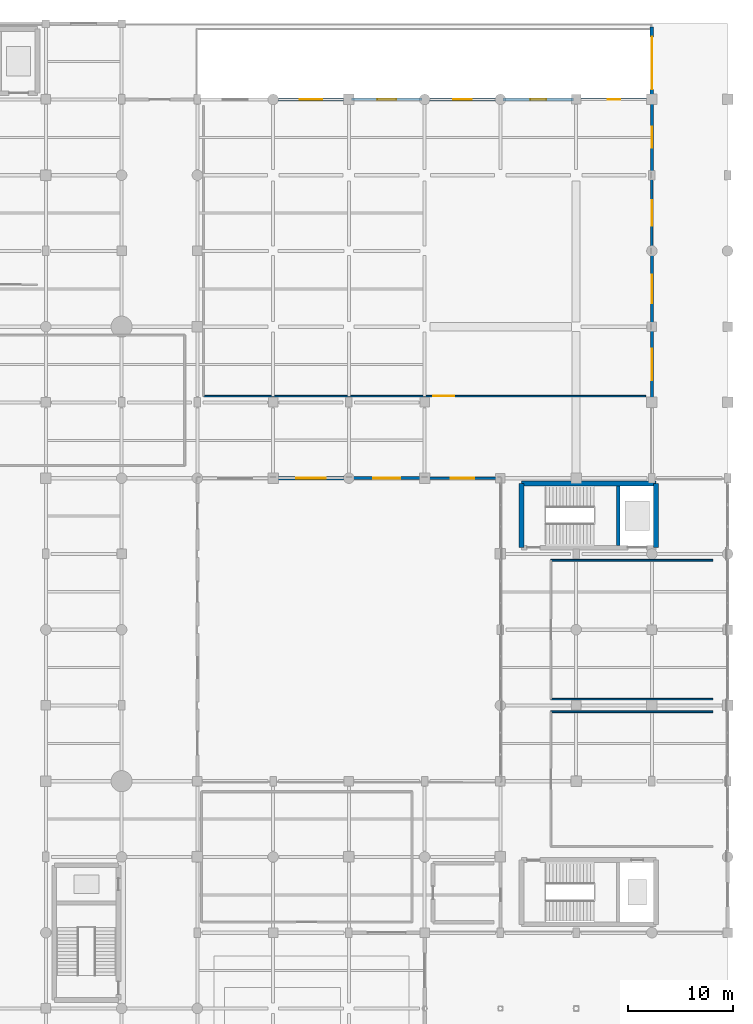
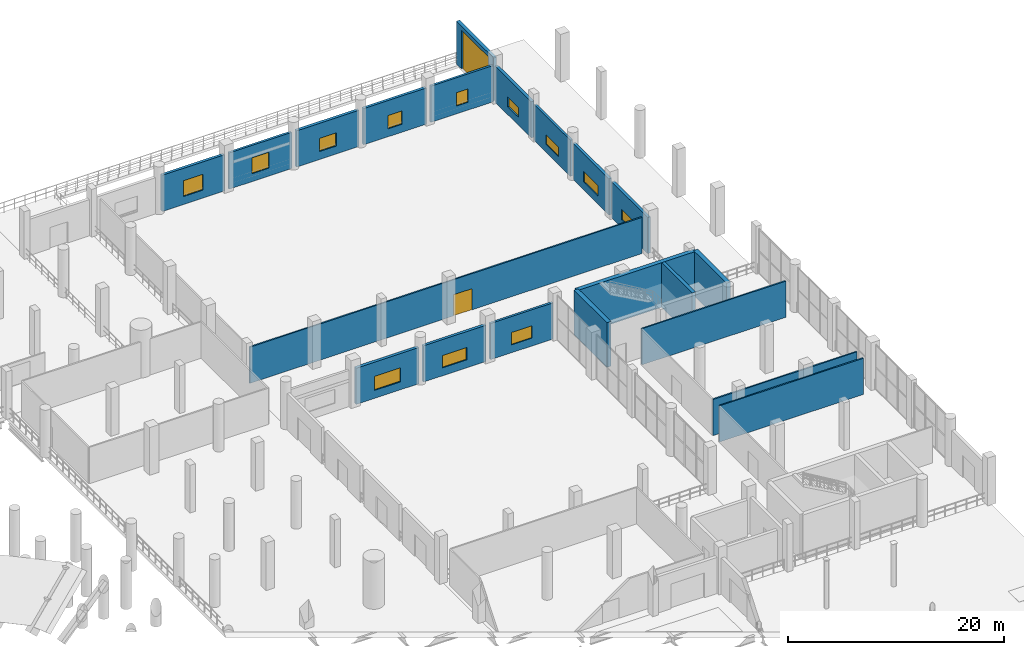
# One storey, part 40 of 58: 21 walls, 12 windows, 2 doors, 14 openings.
"""IFC4 building model written with IfcOpenShell, lengths in metres."""

from ifc_helpers import new_model, si_unit, direction, frame, frame_2d, origin, place, context, subcontext, project, spatial, rectangle, extrude, material, layer, layer_set, type_object, element, fill, save


model = new_model("IFC4")

# Units and contexts
model_context = context("Model", 3, precision=1e-05, world=origin(), true_north=direction((0.0, 1.0)))
body_context = subcontext(model_context, "Body", "Model", "MODEL_VIEW")
ifc_project = project(units=[si_unit("LENGTHUNIT", "METRE"), si_unit("AREAUNIT", "SQUARE_METRE"), si_unit("VOLUMEUNIT", "CUBIC_METRE"), si_unit("PLANEANGLEUNIT", "RADIAN"), si_unit("MASSUNIT", "GRAM", prefix="KILO")], contexts=[model_context])

# Site, building, storey
site_placement = place(None, origin())
site = spatial("IfcSite", under=ifc_project, at=site_placement, CompositionType="ELEMENT")
building_placement = place(site_placement, origin())
building = spatial("IfcBuilding", under=site, at=building_placement, Name="Qandorah Velis Arena", CompositionType="ELEMENT")
storey_placement = place(building_placement, origin())
storey = spatial("IfcBuildingStorey", under=building, at=storey_placement, Name="L00", CompositionType="ELEMENT", Elevation=0.0)

# Wall, opening, window
ifc_material_1 = material(Name="Precast concrete C40/50", Category="concrete")
ifc_layer_1 = layer(ifc_material_1, 0.239990234375)
ifc_layer_set_1 = layer_set([ifc_layer_1], Name="Precast concrete C40/50")
wall_type_1 = type_object("IfcWallType", Name="ARC-WAL-EXT240", PredefinedType="SOLIDWALL", material=ifc_layer_set_1)
wall_1_placement = place(storey_placement, frame((137.050048828125, 122.39990234375, 0.0), z_axis=(0.0, 0.0, 1.0), x_axis=(1.0, 0.0, 0.0)))
wall_1 = element("IfcWall", 1, at=wall_1_placement, inside=storey, type_object=wall_type_1, Name="Precast exterior facade wall L00-03", PredefinedType="SOLIDWALL", context=body_context, shape_type="SweptSolid", body=[
    extrude(rectangle(XDim=6.699951171875, YDim=0.239990234375, at=frame_2d((3.35009765625, 0.0))), origin(), (0.0, 0.0, 1.0), 4.10009765625),
])
opening_1_placement = place(wall_1_placement, frame((2.449951171875, 0.0, 0.89990234375)))
opening_1 = element("IfcOpeningElement", 2, at=opening_1_placement, cuts=wall_1, Name="Opening W03", PredefinedType="OPENING", context=body_context, shape_type="SweptSolid", body=[
    extrude(rectangle(XDim=1.800048828125, YDim=1.800048828125, at=frame_2d((0.89990234375, 0.89990234375))), frame((0.0, 0.1298828125, 0.0), z_axis=(0.0, -1.0, 0.0), x_axis=(1.0, 0.0, 0.0)), (0.0, 0.0, 1.0), 0.260009765625),
])
ifc_material_2 = material(Name="Solar-control low-E double glazing", Category="glass")
window_type_1 = type_object("IfcWindowType", Name="ARC-WIN-1800X1800", PartitioningType="DOUBLE_PANEL_VERTICAL", PredefinedType="WINDOW", material=ifc_material_2)
window_1_placement = place(opening_1_placement, origin())
window_1 = element("IfcWindow", 3, at=window_1_placement, inside=storey, type_object=window_type_1, Name="Exterior low-E window L00-003", OverallHeight=1.800048828125, OverallWidth=1.800048828125, PartitioningType="SINGLE_PANEL", PredefinedType="WINDOW", context=body_context, shape_type="SweptSolid", body=[
    extrude(rectangle(XDim=1.800048828125, YDim=1.800048828125, at=frame_2d((0.89990234375, 0.89990234375))), frame((0.0, 0.030029296875, 0.0), z_axis=(0.0, -1.0, 0.0), x_axis=(1.0, 0.0, 0.0)), (0.0, 0.0, 1.0), 0.06005859375),
])
fill(opening_1, window_1)

wall_2_placement = place(storey_placement, frame((158.64990234375, 122.39990234375, 0.0), z_axis=(0.0, 0.0, 1.0), x_axis=(1.0, 0.0, 0.0)))
wall_2 = element("IfcWall", 4, at=wall_2_placement, inside=storey, type_object=wall_type_1, Name="Precast exterior facade wall L00-06", PredefinedType="SOLIDWALL", context=body_context, shape_type="SweptSolid", body=[
    extrude(rectangle(XDim=6.7001953125, YDim=0.239990234375, at=frame_2d((3.35009765625, 0.0))), origin(), (0.0, 0.0, 1.0), 4.10009765625),
])
opening_2_placement = place(wall_2_placement, frame((2.75, 0.0, 0.89990234375)))
opening_2 = element("IfcOpeningElement", 5, at=opening_2_placement, cuts=wall_2, Name="Opening W06", PredefinedType="OPENING", context=body_context, shape_type="SweptSolid", body=[
    extrude(rectangle(XDim=1.199951171875, YDim=1.5, at=frame_2d((0.60009765625, 0.75))), frame((0.0, 0.1298828125, 0.0), z_axis=(0.0, -1.0, 0.0), x_axis=(1.0, 0.0, 0.0)), (0.0, 0.0, 1.0), 0.260009765625),
])
window_type_2 = type_object("IfcWindowType", Name="ARC-WIN-1200X1500", PartitioningType="SINGLE_PANEL", PredefinedType="WINDOW", material=ifc_material_2)
window_2_placement = place(opening_2_placement, origin())
window_2 = element("IfcWindow", 6, at=window_2_placement, inside=storey, type_object=window_type_2, Name="Exterior low-E window L00-006", OverallHeight=1.5, OverallWidth=1.199951171875, PartitioningType="SINGLE_PANEL", PredefinedType="WINDOW", context=body_context, shape_type="SweptSolid", body=[
    extrude(rectangle(XDim=1.199951171875, YDim=1.5, at=frame_2d((0.60009765625, 0.75))), frame((0.0, 0.030029296875, 0.0), z_axis=(0.0, -1.0, 0.0), x_axis=(1.0, 0.0, 0.0)), (0.0, 0.0, 1.0), 0.06005859375),
])
fill(opening_2, window_2)

wall_3_placement = place(storey_placement, frame((165.60009765625, 108.25, 0.0), z_axis=(0.0, 0.0, 1.0), x_axis=(0.0, 1.0, 0.0)))
wall_3 = element("IfcWall", 7, at=wall_3_placement, inside=storey, type_object=wall_type_1, Name="Precast exterior facade wall L00-09", PredefinedType="SOLIDWALL", context=body_context, shape_type="SweptSolid", body=[
    extrude(rectangle(XDim=6.699951171875, YDim=0.239990234375, at=frame_2d((3.35009765625, 0.0))), origin(), (0.0, 0.0, 1.0), 4.10009765625),
])
opening_3_placement = place(wall_3_placement, frame((2.14990234375, 0.0, 0.89990234375)))
opening_3 = element("IfcOpeningElement", 8, at=opening_3_placement, cuts=wall_3, Name="Opening W09", PredefinedType="OPENING", context=body_context, shape_type="SweptSolid", body=[
    extrude(rectangle(XDim=2.39990234375, YDim=1.10009765625, at=frame_2d((1.199951171875, 0.550048828125))), frame((0.0, 0.1298828125, 0.0), z_axis=(0.0, -1.0, 0.0), x_axis=(1.0, 0.0, 0.0)), (0.0, 0.0, 1.0), 0.260009765625),
])
window_type_3 = type_object("IfcWindowType", Name="ARC-WIN-2400X1100", PartitioningType="DOUBLE_PANEL_VERTICAL", PredefinedType="WINDOW", material=ifc_material_2)
window_3_placement = place(opening_3_placement, origin())
window_3 = element("IfcWindow", 9, at=window_3_placement, inside=storey, type_object=window_type_3, Name="Exterior low-E window L00-009", OverallHeight=1.10009765625, OverallWidth=2.39990234375, PartitioningType="SINGLE_PANEL", PredefinedType="WINDOW", context=body_context, shape_type="SweptSolid", body=[
    extrude(rectangle(XDim=2.39990234375, YDim=1.10009765625, at=frame_2d((1.199951171875, 0.550048828125))), frame((0.0, 0.030029296875, 0.0), z_axis=(0.0, -1.0, 0.0), x_axis=(1.0, 0.0, 0.0)), (0.0, 0.0, 1.0), 0.06005859375),
])
fill(opening_3, window_3)

wall_4_placement = place(storey_placement, frame((144.25, 86.39990234375, 0.0), z_axis=(0.0, 0.0, 1.0), x_axis=(1.0, 0.0, 0.0)))
wall_4 = element("IfcWall", 10, at=wall_4_placement, inside=storey, type_object=wall_type_1, Name="Precast exterior facade wall L00-18", PredefinedType="SOLIDWALL", context=body_context, shape_type="SweptSolid", body=[
    extrude(rectangle(XDim=6.699951171875, YDim=0.239990234375, at=frame_2d((3.35009765625, 0.0))), origin(), (0.0, 0.0, 1.0), 4.10009765625),
])
opening_4_placement = place(wall_4_placement, frame((2.25, 0.0, 0.89990234375)))
opening_4 = element("IfcOpeningElement", 11, at=opening_4_placement, cuts=wall_4, Name="Opening W18", PredefinedType="OPENING", context=body_context, shape_type="SweptSolid", body=[
    extrude(rectangle(XDim=2.199951171875, YDim=1.39990234375, at=frame_2d((1.10009765625, 0.699951171875))), frame((0.0, 0.1298828125, 0.0), z_axis=(0.0, -1.0, 0.0), x_axis=(1.0, 0.0, 0.0)), (0.0, 0.0, 1.0), 0.260009765625),
])
window_type_4 = type_object("IfcWindowType", Name="ARC-WIN-2200X1400", PartitioningType="DOUBLE_PANEL_VERTICAL", PredefinedType="WINDOW", material=ifc_material_2)
window_4_placement = place(opening_4_placement, origin())
window_4 = element("IfcWindow", 12, at=window_4_placement, inside=storey, type_object=window_type_4, Name="Exterior low-E window L00-018", OverallHeight=1.39990234375, OverallWidth=2.199951171875, PartitioningType="SINGLE_PANEL", PredefinedType="WINDOW", context=body_context, shape_type="SweptSolid", body=[
    extrude(rectangle(XDim=2.199951171875, YDim=1.39990234375, at=frame_2d((1.10009765625, 0.699951171875))), frame((0.0, 0.030029296875, 0.0), z_axis=(0.0, -1.0, 0.0), x_axis=(1.0, 0.0, 0.0)), (0.0, 0.0, 1.0), 0.06005859375),
])
fill(opening_4, window_4)

ifc_layer_2 = layer(ifc_material_1, 0.2900390625)
ifc_layer_set_2 = layer_set([ifc_layer_2], Name="Precast concrete C40/50")
wall_type_2 = type_object("IfcWallType", Name="ARC-WAL-EXT290", PredefinedType="SOLIDWALL", material=ifc_layer_set_2)
wall_5_placement = place(storey_placement, frame((129.85009765625, 122.39990234375, 0.0), z_axis=(0.0, 0.0, 1.0), x_axis=(1.0, 0.0, 0.0)))
wall_5 = element("IfcWall", 13, at=wall_5_placement, inside=storey, type_object=wall_type_2, Name="Precast exterior facade wall L00-02", PredefinedType="SOLIDWALL", context=body_context, shape_type="SweptSolid", body=[
    extrude(rectangle(XDim=6.699951171875, YDim=0.2900390625, at=frame_2d((3.35009765625, 0.0))), origin(), (0.0, 0.0, 1.0), 4.10009765625),
])
opening_5_placement = place(wall_5_placement, frame((2.300048828125, 0.0, 0.89990234375)))
opening_5 = element("IfcOpeningElement", 14, at=opening_5_placement, cuts=wall_5, Name="Opening W02", PredefinedType="OPENING", context=body_context, shape_type="SweptSolid", body=[
    extrude(rectangle(XDim=2.10009765625, YDim=1.800048828125, at=frame_2d((1.050048828125, 0.89990234375))), frame((0.0, 0.155029296875, 0.0), z_axis=(0.0, -1.0, 0.0), x_axis=(1.0, 0.0, 0.0)), (0.0, 0.0, 1.0), 0.31005859375),
])
window_type_5 = type_object("IfcWindowType", Name="ARC-WIN-2100X1800", PartitioningType="DOUBLE_PANEL_VERTICAL", PredefinedType="WINDOW", material=ifc_material_2)
window_5_placement = place(opening_5_placement, origin())
window_5 = element("IfcWindow", 15, at=window_5_placement, inside=storey, type_object=window_type_5, Name="Exterior low-E window L00-002", OverallHeight=1.800048828125, OverallWidth=2.10009765625, PartitioningType="SINGLE_PANEL", PredefinedType="WINDOW", context=body_context, shape_type="SweptSolid", body=[
    extrude(rectangle(XDim=2.10009765625, YDim=1.800048828125, at=frame_2d((1.050048828125, 0.89990234375))), frame((0.0, 0.030029296875, 0.0), z_axis=(0.0, -1.0, 0.0), x_axis=(1.0, 0.0, 0.0)), (0.0, 0.0, 1.0), 0.06005859375),
])
fill(opening_5, window_5)

wall_6_placement = place(storey_placement, frame((151.449951171875, 122.39990234375, 0.0), z_axis=(0.0, 0.0, 1.0), x_axis=(1.0, 0.0, 0.0)))
wall_6 = element("IfcWall", 16, at=wall_6_placement, inside=storey, type_object=wall_type_2, Name="Precast exterior facade wall L00-05", PredefinedType="SOLIDWALL", context=body_context, shape_type="SweptSolid", body=[
    extrude(rectangle(XDim=6.699951171875, YDim=0.2900390625, at=frame_2d((3.35009765625, 0.0))), origin(), (0.0, 0.0, 1.0), 4.10009765625),
])
opening_6_placement = place(wall_6_placement, frame((2.60009765625, 0.0, 0.89990234375)))
opening_6 = element("IfcOpeningElement", 17, at=opening_6_placement, cuts=wall_6, Name="Opening W05", PredefinedType="OPENING", context=body_context, shape_type="SweptSolid", body=[
    extrude(rectangle(XDim=1.5, YDim=1.5, at=frame_2d((0.75, 0.75))), frame((0.0, 0.155029296875, 0.0), z_axis=(0.0, -1.0, 0.0), x_axis=(1.0, 0.0, 0.0)), (0.0, 0.0, 1.0), 0.31005859375),
])
window_type_6 = type_object("IfcWindowType", Name="ARC-WIN-1500X1500", PartitioningType="SINGLE_PANEL", PredefinedType="WINDOW", material=ifc_material_2)
window_6_placement = place(opening_6_placement, origin())
window_6 = element("IfcWindow", 18, at=window_6_placement, inside=storey, type_object=window_type_6, Name="Exterior low-E window L00-005", OverallHeight=1.5, OverallWidth=1.5, PartitioningType="SINGLE_PANEL", PredefinedType="WINDOW", context=body_context, shape_type="SweptSolid", body=[
    extrude(rectangle(XDim=1.5, YDim=1.5, at=frame_2d((0.75, 0.75))), frame((0.0, 0.030029296875, 0.0), z_axis=(0.0, -1.0, 0.0), x_axis=(1.0, 0.0, 0.0)), (0.0, 0.0, 1.0), 0.06005859375),
])
fill(opening_6, window_6)

wall_7_placement = place(storey_placement, frame((165.60009765625, 101.050048828125, 0.0), z_axis=(0.0, 0.0, 1.0), x_axis=(0.0, 1.0, 0.0)))
wall_7 = element("IfcWall", 19, at=wall_7_placement, inside=storey, type_object=wall_type_2, Name="Precast exterior facade wall L00-08", PredefinedType="SOLIDWALL", context=body_context, shape_type="SweptSolid", body=[
    extrude(rectangle(XDim=6.699951171875, YDim=0.2900390625, at=frame_2d((3.35009765625, 0.0))), origin(), (0.0, 0.0, 1.0), 4.10009765625),
])
opening_7_placement = place(wall_7_placement, frame((2.0, 0.0, 0.89990234375)))
opening_7 = element("IfcOpeningElement", 20, at=opening_7_placement, cuts=wall_7, Name="Opening W08", PredefinedType="OPENING", context=body_context, shape_type="SweptSolid", body=[
    extrude(rectangle(XDim=2.699951171875, YDim=1.199951171875, at=frame_2d((1.35009765625, 0.60009765625))), frame((0.0, 0.155029296875, 0.0), z_axis=(0.0, -1.0, 0.0), x_axis=(1.0, 0.0, 0.0)), (0.0, 0.0, 1.0), 0.31005859375),
])
window_type_7 = type_object("IfcWindowType", Name="ARC-WIN-2700X1200", PartitioningType="TRIPLE_PANEL_VERTICAL", PredefinedType="WINDOW", material=ifc_material_2)
window_7_placement = place(opening_7_placement, origin())
window_7 = element("IfcWindow", 21, at=window_7_placement, inside=storey, type_object=window_type_7, Name="Exterior low-E window L00-008", OverallHeight=1.199951171875, OverallWidth=2.699951171875, PartitioningType="SINGLE_PANEL", PredefinedType="WINDOW", context=body_context, shape_type="SweptSolid", body=[
    extrude(rectangle(XDim=2.699951171875, YDim=1.199951171875, at=frame_2d((1.35009765625, 0.60009765625))), frame((0.0, 0.030029296875, 0.0), z_axis=(0.0, -1.0, 0.0), x_axis=(1.0, 0.0, 0.0)), (0.0, 0.0, 1.0), 0.06005859375),
])
fill(opening_7, window_7)

wall_8_placement = place(storey_placement, frame((137.050048828125, 86.39990234375, 0.0), z_axis=(0.0, 0.0, 1.0), x_axis=(1.0, 0.0, 0.0)))
wall_8 = element("IfcWall", 22, at=wall_8_placement, inside=storey, type_object=wall_type_2, Name="Precast exterior facade wall L00-17", PredefinedType="SOLIDWALL", context=body_context, shape_type="SweptSolid", body=[
    extrude(rectangle(XDim=6.699951171875, YDim=0.2900390625, at=frame_2d((3.35009765625, 0.0))), origin(), (0.0, 0.0, 1.0), 4.10009765625),
])
opening_8_placement = place(wall_8_placement, frame((2.050048828125, 0.0, 0.89990234375)))
opening_8 = element("IfcOpeningElement", 23, at=opening_8_placement, cuts=wall_8, Name="Opening W17", PredefinedType="OPENING", context=body_context, shape_type="SweptSolid", body=[
    extrude(rectangle(XDim=2.60009765625, YDim=1.39990234375, at=frame_2d((1.300048828125, 0.699951171875))), frame((0.0, 0.155029296875, 0.0), z_axis=(0.0, -1.0, 0.0), x_axis=(1.0, 0.0, 0.0)), (0.0, 0.0, 1.0), 0.31005859375),
])
window_type_8 = type_object("IfcWindowType", Name="ARC-WIN-2600X1400", PartitioningType="DOUBLE_PANEL_VERTICAL", PredefinedType="WINDOW", material=ifc_material_2)
window_8_placement = place(opening_8_placement, origin())
window_8 = element("IfcWindow", 24, at=window_8_placement, inside=storey, type_object=window_type_8, Name="Exterior low-E window L00-017", OverallHeight=1.39990234375, OverallWidth=2.60009765625, PartitioningType="SINGLE_PANEL", PredefinedType="WINDOW", context=body_context, shape_type="SweptSolid", body=[
    extrude(rectangle(XDim=2.60009765625, YDim=1.39990234375, at=frame_2d((1.300048828125, 0.699951171875))), frame((0.0, 0.030029296875, 0.0), z_axis=(0.0, -1.0, 0.0), x_axis=(1.0, 0.0, 0.0)), (0.0, 0.0, 1.0), 0.06005859375),
])
fill(opening_8, window_8)

ifc_layer_3 = layer(ifc_material_1, 0.31005859375)
ifc_layer_set_3 = layer_set([ifc_layer_3], Name="Precast concrete C40/50")
wall_type_3 = type_object("IfcWallType", Name="ARC-WAL-EXT310", PredefinedType="SOLIDWALL", material=ifc_layer_set_3)
wall_9_placement = place(storey_placement, frame((144.25, 122.39990234375, 0.0), z_axis=(0.0, 0.0, 1.0), x_axis=(1.0, 0.0, 0.0)))
wall_9 = element("IfcWall", 25, at=wall_9_placement, inside=storey, type_object=wall_type_3, Name="Precast exterior facade wall L00-04", PredefinedType="SOLIDWALL", context=body_context, shape_type="SweptSolid", body=[
    extrude(rectangle(XDim=6.699951171875, YDim=0.31005859375, at=frame_2d((3.35009765625, 0.0))), origin(), (0.0, 0.0, 1.0), 4.10009765625),
])
opening_9_placement = place(wall_9_placement, frame((2.449951171875, 0.0, 0.89990234375)))
opening_9 = element("IfcOpeningElement", 26, at=opening_9_placement, cuts=wall_9, Name="Opening W04", PredefinedType="OPENING", context=body_context, shape_type="SweptSolid", body=[
    extrude(rectangle(XDim=1.800048828125, YDim=1.5, at=frame_2d((0.89990234375, 0.75))), frame((0.0, 0.1650390625, 0.0), z_axis=(0.0, -1.0, 0.0), x_axis=(1.0, 0.0, 0.0)), (0.0, 0.0, 1.0), 0.330078125),
])
window_type_9 = type_object("IfcWindowType", Name="ARC-WIN-1800X1500", PartitioningType="DOUBLE_PANEL_VERTICAL", PredefinedType="WINDOW", material=ifc_material_2)
window_9_placement = place(opening_9_placement, origin())
window_9 = element("IfcWindow", 27, at=window_9_placement, inside=storey, type_object=window_type_9, Name="Exterior low-E window L00-004", OverallHeight=1.5, OverallWidth=1.800048828125, PartitioningType="SINGLE_PANEL", PredefinedType="WINDOW", context=body_context, shape_type="SweptSolid", body=[
    extrude(rectangle(XDim=1.800048828125, YDim=1.5, at=frame_2d((0.89990234375, 0.75))), frame((0.0, 0.030029296875, 0.0), z_axis=(0.0, -1.0, 0.0), x_axis=(1.0, 0.0, 0.0)), (0.0, 0.0, 1.0), 0.06005859375),
])
fill(opening_9, window_9)

wall_10_placement = place(storey_placement, frame((165.60009765625, 93.85009765625, 0.0), z_axis=(0.0, 0.0, 1.0), x_axis=(0.0, 1.0, 0.0)))
wall_10 = element("IfcWall", 28, at=wall_10_placement, inside=storey, type_object=wall_type_3, Name="Precast exterior facade wall L00-07", PredefinedType="SOLIDWALL", context=body_context, shape_type="SweptSolid", body=[
    extrude(rectangle(XDim=6.699951171875, YDim=0.31005859375, at=frame_2d((3.35009765625, 0.0))), origin(), (0.0, 0.0, 1.0), 4.10009765625),
])
opening_10_placement = place(wall_10_placement, frame((1.85009765625, 0.0, 0.89990234375)))
opening_10 = element("IfcOpeningElement", 29, at=opening_10_placement, cuts=wall_10, Name="Opening W07", PredefinedType="OPENING", context=body_context, shape_type="SweptSolid", body=[
    extrude(rectangle(XDim=3.0, YDim=1.199951171875, at=frame_2d((1.5, 0.60009765625))), frame((0.0, 0.1650390625, 0.0), z_axis=(0.0, -1.0, 0.0), x_axis=(1.0, 0.0, 0.0)), (0.0, 0.0, 1.0), 0.330078125),
])
window_type_10 = type_object("IfcWindowType", Name="ARC-WIN-3000X1200", PartitioningType="TRIPLE_PANEL_VERTICAL", PredefinedType="WINDOW", material=ifc_material_2)
window_10_placement = place(opening_10_placement, origin())
window_10 = element("IfcWindow", 30, at=window_10_placement, inside=storey, type_object=window_type_10, Name="Exterior low-E window L00-007", OverallHeight=1.199951171875, OverallWidth=3.0, PartitioningType="SINGLE_PANEL", PredefinedType="WINDOW", context=body_context, shape_type="SweptSolid", body=[
    extrude(rectangle(XDim=3.0, YDim=1.199951171875, at=frame_2d((1.5, 0.60009765625))), frame((0.0, 0.030029296875, 0.0), z_axis=(0.0, -1.0, 0.0), x_axis=(1.0, 0.0, 0.0)), (0.0, 0.0, 1.0), 0.06005859375),
])
fill(opening_10, window_10)

wall_11_placement = place(storey_placement, frame((165.60009765625, 115.449951171875, 0.0), z_axis=(0.0, 0.0, 1.0), x_axis=(0.0, 1.0, 0.0)))
wall_11 = element("IfcWall", 31, at=wall_11_placement, inside=storey, type_object=wall_type_3, Name="Precast exterior facade wall L00-10", PredefinedType="SOLIDWALL", context=body_context, shape_type="SweptSolid", body=[
    extrude(rectangle(XDim=6.699951171875, YDim=0.31005859375, at=frame_2d((3.35009765625, 0.0))), origin(), (0.0, 0.0, 1.0), 4.10009765625),
])
opening_11_placement = place(wall_11_placement, frame((2.35009765625, 0.0, 0.89990234375)))
opening_11 = element("IfcOpeningElement", 32, at=opening_11_placement, cuts=wall_11, Name="Opening W10", PredefinedType="OPENING", context=body_context, shape_type="SweptSolid", body=[
    extrude(rectangle(XDim=2.0, YDim=1.10009765625, at=frame_2d((1.0, 0.550048828125))), frame((0.0, 0.1650390625, 0.0), z_axis=(0.0, -1.0, 0.0), x_axis=(1.0, 0.0, 0.0)), (0.0, 0.0, 1.0), 0.330078125),
])
window_type_11 = type_object("IfcWindowType", Name="ARC-WIN-2000X1100", PartitioningType="DOUBLE_PANEL_VERTICAL", PredefinedType="WINDOW", material=ifc_material_2)
window_11_placement = place(opening_11_placement, origin())
window_11 = element("IfcWindow", 33, at=window_11_placement, inside=storey, type_object=window_type_11, Name="Exterior low-E window L00-010", OverallHeight=1.10009765625, OverallWidth=2.0, PartitioningType="SINGLE_PANEL", PredefinedType="WINDOW", context=body_context, shape_type="SweptSolid", body=[
    extrude(rectangle(XDim=2.0, YDim=1.10009765625, at=frame_2d((1.0, 0.550048828125))), frame((0.0, 0.030029296875, 0.0), z_axis=(0.0, -1.0, 0.0), x_axis=(1.0, 0.0, 0.0)), (0.0, 0.0, 1.0), 0.06005859375),
])
fill(opening_11, window_11)

wall_12_placement = place(storey_placement, frame((129.85009765625, 86.39990234375, 0.0), z_axis=(0.0, 0.0, 1.0), x_axis=(1.0, 0.0, 0.0)))
wall_12 = element("IfcWall", 34, at=wall_12_placement, inside=storey, type_object=wall_type_3, Name="Precast exterior facade wall L00-16", PredefinedType="SOLIDWALL", context=body_context, shape_type="SweptSolid", body=[
    extrude(rectangle(XDim=6.699951171875, YDim=0.31005859375, at=frame_2d((3.35009765625, 0.0))), origin(), (0.0, 0.0, 1.0), 4.10009765625),
])
opening_12_placement = place(wall_12_placement, frame((1.949951171875, 0.0, 0.89990234375)))
opening_12 = element("IfcOpeningElement", 35, at=opening_12_placement, cuts=wall_12, Name="Opening W16", PredefinedType="OPENING", context=body_context, shape_type="SweptSolid", body=[
    extrude(rectangle(XDim=2.800048828125, YDim=1.60009765625, at=frame_2d((1.39990234375, 0.800048828125))), frame((0.0, 0.1650390625, 0.0), z_axis=(0.0, -1.0, 0.0), x_axis=(1.0, 0.0, 0.0)), (0.0, 0.0, 1.0), 0.330078125),
])
window_type_12 = type_object("IfcWindowType", Name="ARC-WIN-2800X1600", PartitioningType="DOUBLE_PANEL_VERTICAL", PredefinedType="WINDOW", material=ifc_material_2)
window_12_placement = place(opening_12_placement, origin())
window_12 = element("IfcWindow", 36, at=window_12_placement, inside=storey, type_object=window_type_12, Name="Exterior low-E window L00-016", OverallHeight=1.60009765625, OverallWidth=2.800048828125, PartitioningType="SINGLE_PANEL", PredefinedType="WINDOW", context=body_context, shape_type="SweptSolid", body=[
    extrude(rectangle(XDim=2.800048828125, YDim=1.60009765625, at=frame_2d((1.39990234375, 0.800048828125))), frame((0.0, 0.030029296875, 0.0), z_axis=(0.0, -1.0, 0.0), x_axis=(1.0, 0.0, 0.0)), (0.0, 0.0, 1.0), 0.06005859375),
])
fill(opening_12, window_12)

# Wall, opening, door
ifc_layer_4 = layer(ifc_material_1, 0.340087890625)
ifc_layer_set_4 = layer_set([ifc_layer_4], Name="Precast concrete C40/50")
wall_type_4 = type_object("IfcWallType", Name="ARC-WAL-EXT340", PredefinedType="SOLIDWALL", material=ifc_layer_set_4)
wall_13_placement = place(storey_placement, frame((165.60009765625, 122.39990234375, 0.0), z_axis=(0.0, 0.0, 1.0), x_axis=(0.0, 1.0, 0.0)))
wall_13 = element("IfcWall", 37, at=wall_13_placement, inside=storey, type_object=wall_type_4, Name="Vehicle ramp portal exterior wall", PredefinedType="SOLIDWALL", context=body_context, shape_type="SweptSolid", body=[
    extrude(rectangle(XDim=6.900146484375, YDim=0.340087890625, at=frame_2d((3.4501953125, 0.0))), origin(), (0.0, 0.0, 1.0), 4.85009765625),
])
opening_13_placement = place(wall_13_placement, frame((0.949951171875, 0.0, 0.0)))
opening_13 = element("IfcOpeningElement", 38, at=opening_13_placement, cuts=wall_13, Name="Opening VD1", PredefinedType="OPENING", context=body_context, shape_type="SweptSolid", body=[
    extrude(rectangle(XDim=5.0, YDim=4.39990234375, at=frame_2d((2.5, 2.199951171875))), frame((0.0, 0.18017578125, 0.0), z_axis=(0.0, -1.0, 0.0), x_axis=(1.0, 0.0, 0.0)), (0.0, 0.0, 1.0), 0.360107421875),
])
ifc_material_3 = material(Name="Insulated motorized steel overhead shutter", Category="steel")
door_type_1 = type_object("IfcDoorType", Name="ARC-DR-VEH5000", OperationType="NOTDEFINED", PredefinedType="DOOR", material=ifc_material_3)
door_1_placement = place(opening_13_placement, frame((5.0, 0.0, 0.0), z_axis=(0.0, 0.0, 1.0), x_axis=(-1.0, 0.0, 0.0)))
door_1 = element("IfcDoor", 39, at=door_1_placement, inside=storey, type_object=door_type_1, Name="Car park vehicle ramp overhead shutter door VD1", OperationType="SLIDING_TO_LEFT", OverallHeight=4.39990234375, OverallWidth=5.0, PredefinedType="DOOR", context=body_context, shape_type="SweptSolid", body=[
    extrude(rectangle(XDim=5.0, YDim=4.39990234375, at=frame_2d((2.5, 2.199951171875))), frame((0.0, 0.02490234375, 0.0), z_axis=(0.0, -1.0, 0.0), x_axis=(1.0, 0.0, 0.0)), (0.0, 0.0, 1.0), 0.050048828125),
])
fill(opening_13, door_1)

# Walls
ifc_material_4 = material(Name="Concrete C35/45", Category="concrete")
ifc_layer_5 = layer(ifc_material_4, 0.14990234375)
ifc_layer_set_5 = layer_set([ifc_layer_5], Name="Concrete C35/45")
wall_type_5 = type_object("IfcWallType", Name="ARC-WAL-PART150", PredefinedType="PARTITIONING", material=ifc_layer_set_5)
for number, where, z_axis, x_axis, name in (
    (40, (171.39990234375, 64.199951171875, 0.0), (0.0, 0.0, 1.0), (-1.0, 0.0, 0.0), "Interior partition L00-CAFE (N)"),
    (41, (156.0, 65.39990234375, 0.0), (0.0, 0.0, 1.0), (1.0, 0.0, 0.0), "Interior partition L00-SHOP (S)"),
    (42, (171.39990234375, 78.60009765625, 0.0), (0.0, 0.0, 1.0), (-1.0, 0.0, 0.0), "Interior partition L00-SHOP (N)"),
):
    element("IfcWall", number, at=place(storey_placement, frame(where, z_axis=z_axis, x_axis=x_axis)), inside=storey, type_object=wall_type_5, Name=name, PredefinedType="PARTITIONING", context=body_context, shape_type="SweptSolid", body=[
        extrude(rectangle(XDim=15.39990234375, YDim=0.14990234375, at=frame_2d((7.699951171875, 0.0))), origin(), (0.0, 0.0, 1.0), 4.10009765625),
    ])

# Wall, opening, door
wall_14_placement = place(storey_placement, frame((123.0, 94.199951171875, 0.0), z_axis=(0.0, 0.0, 1.0), x_axis=(1.0, 0.0, 0.0)))
wall_14 = element("IfcWall", 43, at=wall_14_placement, inside=storey, type_object=wall_type_5, Name="Interior partition L00-PRAC (S)", PredefinedType="PARTITIONING", context=body_context, shape_type="SweptSolid", body=[
    extrude(rectangle(XDim=42.0, YDim=0.14990234375, at=frame_2d((21.0, 0.0))), origin(), (0.0, 0.0, 1.0), 4.10009765625),
])
opening_14_placement = place(wall_14_placement, frame((21.800048828125, 0.0, 0.0)))
opening_14 = element("IfcOpeningElement", 44, at=opening_14_placement, cuts=wall_14, Name="Opening D5", PredefinedType="OPENING", context=body_context, shape_type="SweptSolid", body=[
    extrude(rectangle(XDim=2.0, YDim=2.39990234375, at=frame_2d((1.0, 1.199951171875))), frame((0.0, 0.0849609375, 0.0), z_axis=(0.0, -1.0, 0.0), x_axis=(1.0, 0.0, 0.0)), (0.0, 0.0, 1.0), 0.169921875),
])
ifc_material_5 = material(Name="Double-leaf glazed acoustic aluminium door", Category="aluminium")
door_type_2 = type_object("IfcDoorType", Name="ARC-DR-DBL2000", OperationType="NOTDEFINED", PredefinedType="DOOR", material=ifc_material_5)
door_2_placement = place(opening_14_placement, origin())
door_2 = element("IfcDoor", 45, at=door_2_placement, inside=storey, type_object=door_type_2, Name="Door L00-PRAC", OperationType="DOUBLE_DOOR_SINGLE_SWING", OverallHeight=2.39990234375, OverallWidth=2.0, PredefinedType="DOOR", context=body_context, shape_type="SweptSolid", body=[
    extrude(rectangle(XDim=2.0, YDim=2.39990234375, at=frame_2d((1.0, 1.199951171875))), frame((0.0, 0.02490234375, 0.0), z_axis=(0.0, -1.0, 0.0), x_axis=(1.0, 0.0, 0.0)), (0.0, 0.0, 1.0), 0.050048828125),
])
fill(opening_14, door_2)

# Walls
ifc_material_6 = material(Name="Concrete C40/50", Category="concrete")
ifc_layer_6 = layer(ifc_material_6, 0.449951171875)
ifc_layer_set_6 = layer_set([ifc_layer_6], Name="Concrete C40/50")
wall_type_6 = type_object("IfcWallType", Name="STR-WAL-CORE450", PredefinedType="SHEAR", material=ifc_layer_set_6)
wall_15_placement = place(storey_placement, frame((153.199951171875, 85.89990234375, 0.0), z_axis=(0.0, 0.0, 1.0), x_axis=(1.0, 0.0, 0.0)))
element("IfcWall", 46, at=wall_15_placement, inside=storey, type_object=wall_type_6, Name="Core CORE-08 shear wall N (L00)", PredefinedType="SHEAR", context=body_context, shape_type="SweptSolid", body=[
    extrude(rectangle(XDim=12.800048828125, YDim=0.449951171875, at=frame_2d((6.39990234375, 0.0))), origin(), (0.0, 0.0, 1.0), 5.06005859375),
])
for number, where, z_axis, x_axis, name in (
    (47, (153.199951171875, 79.800048828125, 0.0), (0.0, 0.0, 1.0), (0.0, 1.0, 0.0), "Core CORE-08 shear wall W (L00)"),
    (48, (166.0, 79.800048828125, 0.0), (0.0, 0.0, 1.0), (0.0, 1.0, 0.0), "Core CORE-08 shear wall E (L00)"),
):
    element("IfcWall", number, at=place(storey_placement, frame(where, z_axis=z_axis, x_axis=x_axis)), inside=storey, type_object=wall_type_6, Name=name, PredefinedType="SHEAR", context=body_context, shape_type="SweptSolid", body=[
        extrude(rectangle(XDim=6.099853515625, YDim=0.449951171875, at=frame_2d((3.0498046875, 0.0))), origin(), (0.0, 0.0, 1.0), 5.06005859375),
    ])
ifc_layer_7 = layer(ifc_material_6, 0.35009765625)
ifc_layer_set_7 = layer_set([ifc_layer_7], Name="Concrete C40/50")
wall_type_7 = type_object("IfcWallType", Name="STR-WAL-SH350", PredefinedType="SHEAR", material=ifc_layer_set_7)
wall_16_placement = place(storey_placement, frame((162.416015625, 80.02490234375, 0.0), z_axis=(0.0, 0.0, 1.0), x_axis=(0.0, 1.0, 0.0)))
element("IfcWall", 49, at=wall_16_placement, inside=storey, type_object=wall_type_7, Name="Core CORE-08 shaft divider shear wall (L00)", PredefinedType="SHEAR", context=body_context, shape_type="SweptSolid", body=[
    extrude(rectangle(XDim=5.650146484375, YDim=0.35009765625, at=frame_2d((2.8251953125, 0.0))), origin(), (0.0, 0.0, 1.0), 5.06005859375),
])

save(model, "model.ifc")
